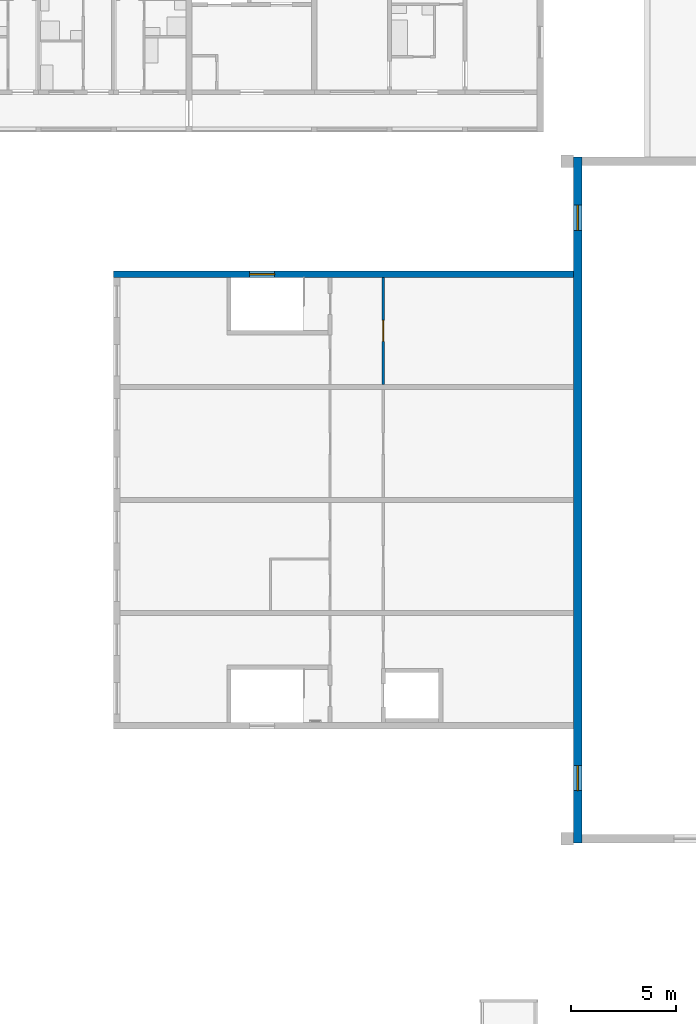
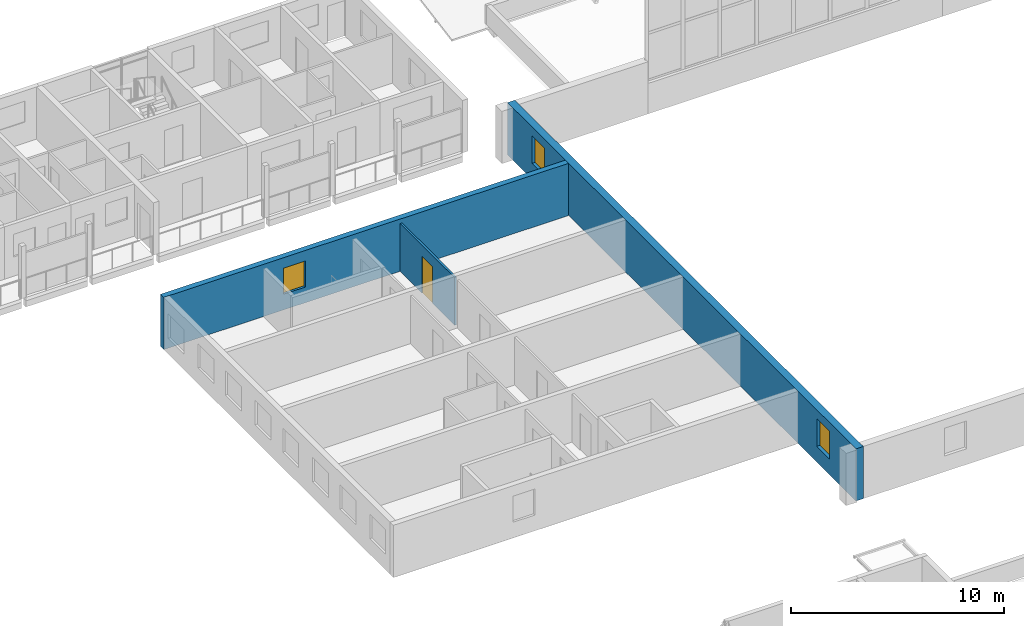
# One storey, part 59 of 122: 3 walls, 3 windows, 1 door, 4 openings.
"""IFC4 building model written with IfcOpenShell, lengths in metres."""

from ifc_helpers import new_model, si_unit, direction, frame, frame_2d, origin, place, context, subcontext, project, spatial, rectangle, extrude, material, layer, layer_set, type_object, element, fill, save


model = new_model("IFC4")

# Units and contexts
model_context = context("Model", 3, precision=1e-05, world=origin(), true_north=direction((0.0, 1.0)))
body_context = subcontext(model_context, "Body", "Model", "MODEL_VIEW")
ifc_project = project(units=[si_unit("LENGTHUNIT", "METRE"), si_unit("AREAUNIT", "SQUARE_METRE"), si_unit("VOLUMEUNIT", "CUBIC_METRE"), si_unit("PLANEANGLEUNIT", "RADIAN"), si_unit("MASSUNIT", "GRAM", prefix="KILO")], contexts=[model_context])

# Site, building, storey
site_placement = place(None, origin())
site = spatial("IfcSite", under=ifc_project, at=site_placement, CompositionType="ELEMENT")
building_placement = place(site_placement, origin())
building = spatial("IfcBuilding", under=site, at=building_placement, Name="Ridgestep Commons", CompositionType="ELEMENT")
storey_placement = place(building_placement, frame((0.0, 0.0, 3.0)))
storey = spatial("IfcBuildingStorey", under=building, at=storey_placement, Name="L01", CompositionType="ELEMENT", Elevation=3.0)

# Wall, opening, window
ifc_material_1 = material(Name="Precast concrete C40/50", Category="concrete")
ifc_layer_1 = layer(ifc_material_1, 0.300048828125)
ifc_layer_set_1 = layer_set([ifc_layer_1], Name="Annex wall 300")
wall_type_1 = type_object("IfcWallType", Name="Annex wall 300", PredefinedType="SOLIDWALL", material=ifc_layer_set_1)
wall_1_placement = place(storey_placement, frame((114.39990234375, 59.199951171875, 0.0), z_axis=(0.0, 0.0, 1.0), x_axis=(-1.0, 0.0, 0.0)))
wall_1 = element("IfcWall", 1, at=wall_1_placement, inside=storey, type_object=wall_type_1, Name="Annex wall 300", PredefinedType="SOLIDWALL", context=body_context, shape_type="SweptSolid", body=[
    extrude(rectangle(XDim=22.0, YDim=0.300048828125, at=frame_2d((11.0, 0.0))), origin(), (0.0, 0.0, 1.0), 3.0),
])
opening_1_placement = place(wall_1_placement, frame((14.298095703125, 0.0, 0.89990234375)))
opening_1 = element("IfcOpeningElement", 2, at=opening_1_placement, cuts=wall_1, Name="Opening WK1", PredefinedType="OPENING", context=body_context, shape_type="SweptSolid", body=[
    extrude(rectangle(XDim=1.199951171875, YDim=1.5, at=frame_2d((0.60009765625, 0.75))), frame((0.0, 0.159912109375, 0.0), z_axis=(0.0, -1.0, 0.0), x_axis=(1.0, 0.0, 0.0)), (0.0, 0.0, 1.0), 0.320068359375),
])
ifc_material_2 = material(Name="Aluminium and glass", Category="aluminium")
window_type_1 = type_object("IfcWindowType", Name="Community window 1200 x 1500", PartitioningType="SINGLE_PANEL", PredefinedType="WINDOW", material=ifc_material_2)
window_1_placement = place(opening_1_placement, origin())
window_1 = element("IfcWindow", 3, at=window_1_placement, inside=storey, type_object=window_type_1, Name="Community window 1200 x 1500", OverallHeight=1.5, OverallWidth=1.199951171875, PartitioningType="SINGLE_PANEL", PredefinedType="WINDOW", context=body_context, shape_type="SweptSolid", body=[
    extrude(rectangle(XDim=1.199951171875, YDim=1.5, at=frame_2d((0.60009765625, 0.75))), frame((0.0, 0.030029296875, 0.0), z_axis=(0.0, -1.0, 0.0), x_axis=(1.0, 0.0, 0.0)), (0.0, 0.0, 1.0), 0.06005859375),
])
fill(opening_1, window_1)

# Wall, opening, door
ifc_material_3 = material(Name="Common brick 110 mm", Category="masonry")
ifc_layer_2 = layer(ifc_material_3, 0.110107421875)
ifc_layer_set_2 = layer_set([ifc_layer_2], Name="Community partition 110")
wall_type_2 = type_object("IfcWallType", Name="Community partition 110", PredefinedType="PARTITIONING", material=ifc_layer_set_2)
wall_2_placement = place(storey_placement, frame((105.300048828125, 53.925048828125, 0.0), z_axis=(0.0, 0.0, 1.0), x_axis=(0.0, 1.0, 0.0)))
wall_2 = element("IfcWall", 4, at=wall_2_placement, inside=storey, type_object=wall_type_2, Name="Community partition 110", PredefinedType="PARTITIONING", context=body_context, shape_type="SweptSolid", body=[
    extrude(rectangle(XDim=5.125, YDim=0.110107421875, at=frame_2d((2.5625, 0.0))), origin(), (0.0, 0.0, 1.0), 2.75),
])
opening_2_placement = place(wall_2_placement, frame((2.0625, 0.0, 0.0)))
opening_2 = element("IfcOpeningElement", 5, at=opening_2_placement, cuts=wall_2, Name="Opening C066", PredefinedType="OPENING", context=body_context, shape_type="SweptSolid", body=[
    extrude(rectangle(XDim=1.0, YDim=2.10009765625, at=frame_2d((0.5, 1.050048828125))), frame((0.0, 0.06494140625, 0.0), z_axis=(0.0, -1.0, 0.0), x_axis=(1.0, 0.0, 0.0)), (0.0, 0.0, 1.0), 0.130126953125),
])
ifc_material_4 = material(Name="Timber and steel", Category="steel")
door_type = type_object("IfcDoorType", Name="Community fire door 1000 x 2100", OperationType="SINGLE_SWING_LEFT", PredefinedType="DOOR", material=ifc_material_4)
door_placement = place(opening_2_placement, origin())
door = element("IfcDoor", 6, at=door_placement, inside=storey, type_object=door_type, Name="Community fire door 1000 x 2100", OperationType="SINGLE_SWING_LEFT", OverallHeight=2.10009765625, OverallWidth=1.0, PredefinedType="DOOR", context=body_context, shape_type="SweptSolid", body=[
    extrude(rectangle(XDim=1.0, YDim=2.10009765625, at=frame_2d((0.5, 1.050048828125))), frame((0.0, 0.02490234375, 0.0), z_axis=(0.0, -1.0, 0.0), x_axis=(1.0, 0.0, 0.0)), (0.0, 0.0, 1.0), 0.050048828125),
])
fill(opening_2, door)

# Wall, openings, windows
ifc_material_5 = material(Name="Precast concrete C40/50", Category="concrete")
ifc_layer_3 = layer(ifc_material_5, 0.39990234375)
ifc_layer_set_3 = layer_set([ifc_layer_3], Name="Hall wall 400")
wall_type_3 = type_object("IfcWallType", Name="Hall wall 400", PredefinedType="SOLIDWALL", material=ifc_layer_set_3)
wall_3_placement = place(storey_placement, frame((114.60009765625, 32.0, 0.0), z_axis=(0.0, 0.0, 1.0), x_axis=(0.0, 1.0, 0.0)))
wall_3 = element("IfcWall", 7, at=wall_3_placement, inside=storey, type_object=wall_type_3, Name="Hall wall 400", PredefinedType="SOLIDWALL", context=body_context, shape_type="SweptSolid", body=[
    extrude(rectangle(XDim=32.800048828125, YDim=0.39990234375, at=frame_2d((16.39990234375, 0.0))), origin(), (0.0, 0.0, 1.0), 3.0),
])
opening_3_placement = place(wall_3_placement, frame((2.5, 0.0, 0.89990234375)))
opening_3 = element("IfcOpeningElement", 8, at=opening_3_placement, cuts=wall_3, Name="Opening WK6", PredefinedType="OPENING", context=body_context, shape_type="SweptSolid", body=[
    extrude(rectangle(XDim=1.199951171875, YDim=1.60009765625, at=frame_2d((0.60009765625, 0.800048828125))), frame((0.0, 0.2099609375, 0.0), z_axis=(0.0, -1.0, 0.0), x_axis=(1.0, 0.0, 0.0)), (0.0, 0.0, 1.0), 0.419921875),
])
opening_4_placement = place(wall_3_placement, frame((29.300048828125, 0.0, 0.89990234375)))
opening_4 = element("IfcOpeningElement", 9, at=opening_4_placement, cuts=wall_3, Name="Opening WK6", PredefinedType="OPENING", context=body_context, shape_type="SweptSolid", body=[
    extrude(rectangle(XDim=1.199951171875, YDim=1.60009765625, at=frame_2d((0.60009765625, 0.800048828125))), frame((0.0, 0.2099609375, 0.0), z_axis=(0.0, -1.0, 0.0), x_axis=(1.0, 0.0, 0.0)), (0.0, 0.0, 1.0), 0.419921875),
])
ifc_material_6 = material(Name="Aluminium and glass", Category="aluminium")
window_type_2 = type_object("IfcWindowType", Name="Community high window 1200 x 1600", PartitioningType="SINGLE_PANEL", PredefinedType="WINDOW", material=ifc_material_6)
window_2_placement = place(opening_3_placement, origin())
window_2 = element("IfcWindow", 10, at=window_2_placement, inside=storey, type_object=window_type_2, Name="Community high window 1200 x 1600", OverallHeight=1.60009765625, OverallWidth=1.199951171875, PartitioningType="SINGLE_PANEL", PredefinedType="WINDOW", context=body_context, shape_type="SweptSolid", body=[
    extrude(rectangle(XDim=1.199951171875, YDim=1.60009765625, at=frame_2d((0.60009765625, 0.800048828125))), frame((0.0, 0.030029296875, 0.0), z_axis=(0.0, -1.0, 0.0), x_axis=(1.0, 0.0, 0.0)), (0.0, 0.0, 1.0), 0.06005859375),
])
fill(opening_3, window_2)
window_3_placement = place(opening_4_placement, origin())
window_3 = element("IfcWindow", 11, at=window_3_placement, inside=storey, type_object=window_type_2, Name="Community high window 1200 x 1600", OverallHeight=1.60009765625, OverallWidth=1.199951171875, PartitioningType="SINGLE_PANEL", PredefinedType="WINDOW", context=body_context, shape_type="SweptSolid", body=[
    extrude(rectangle(XDim=1.199951171875, YDim=1.60009765625, at=frame_2d((0.60009765625, 0.800048828125))), frame((0.0, 0.030029296875, 0.0), z_axis=(0.0, -1.0, 0.0), x_axis=(1.0, 0.0, 0.0)), (0.0, 0.0, 1.0), 0.06005859375),
])
fill(opening_4, window_3)

save(model, "model.ifc")
